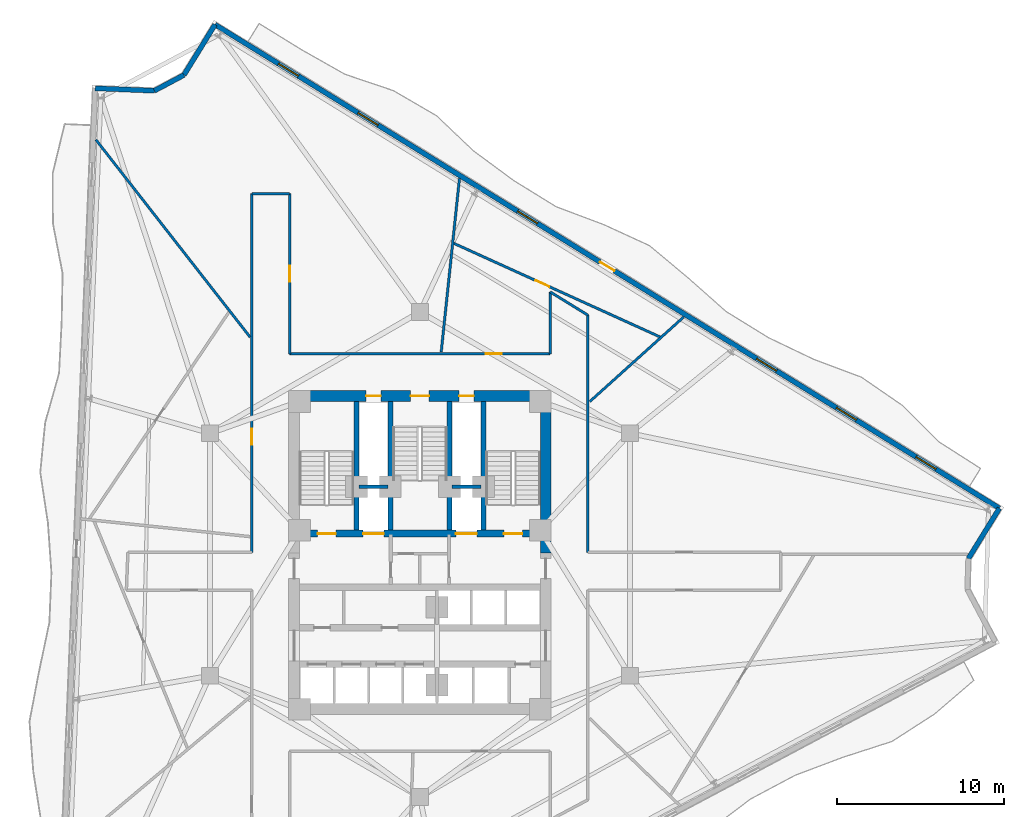
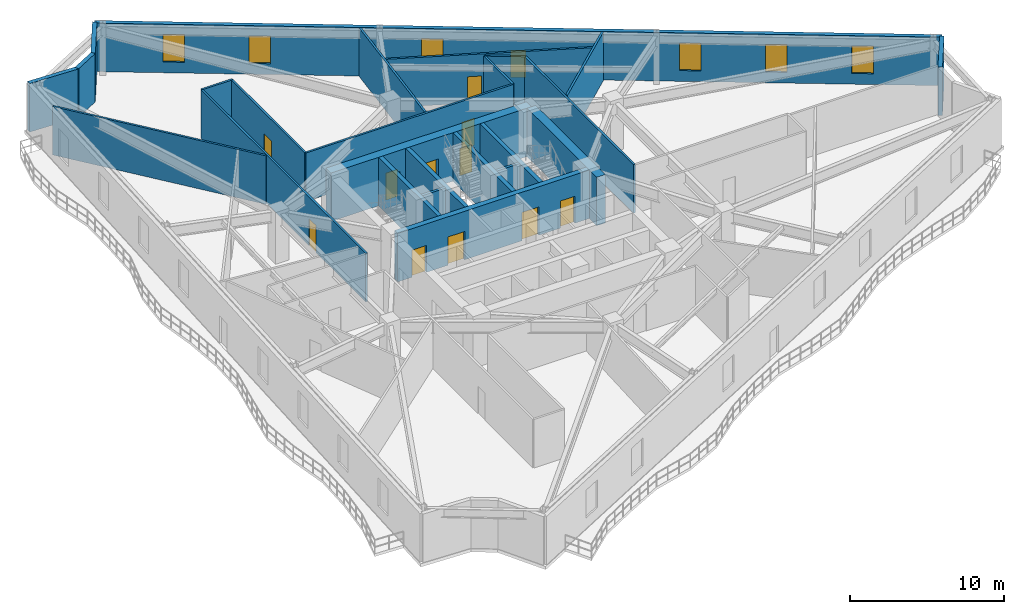
# One storey, part 7 of 12: 25 walls, 12 doors, 6 windows, 18 openings.
"""IFC4 building model written with IfcOpenShell, lengths in metres."""

from ifc_helpers import new_model, si_unit, direction, frame, frame_2d, origin, place, context, subcontext, project, spatial, rectangle, extrude, material, layer, layer_set, type_object, element, fill, save


model = new_model("IFC4")

# Units and contexts
model_context = context("Model", 3, precision=1e-05, world=origin(), true_north=direction((0.0, 1.0)))
body_context = subcontext(model_context, "Body", "Model", "MODEL_VIEW")
ifc_project = project(units=[si_unit("LENGTHUNIT", "METRE"), si_unit("AREAUNIT", "SQUARE_METRE"), si_unit("VOLUMEUNIT", "CUBIC_METRE"), si_unit("PLANEANGLEUNIT", "RADIAN"), si_unit("MASSUNIT", "GRAM", prefix="KILO")], contexts=[model_context])

# Site, building, storey
site_placement = place(None, origin())
site = spatial("IfcSite", under=ifc_project, at=site_placement, CompositionType="ELEMENT")
building_placement = place(site_placement, origin())
building = spatial("IfcBuilding", under=site, at=building_placement, Name="Apsidion Concourse Tower", CompositionType="ELEMENT")
storey_placement = place(building_placement, frame((0.0, 0.0, 173.699951171875)))
storey = spatial("IfcBuildingStorey", under=building, at=storey_placement, Name="L40", CompositionType="ELEMENT", Elevation=173.699951171875)

# Wall, openings, door, windows
ifc_material_1 = material(Name="Precast concrete C40/50", Category="concrete")
ifc_layer_1 = layer(ifc_material_1, 0.300048828125)
ifc_layer_set_1 = layer_set([ifc_layer_1], Name="Precast concrete C40/50")
wall_type_1 = type_object("IfcWallType", Name="WL-EXT-300", PredefinedType="STANDARD", material=ifc_layer_set_1)
wall_1_placement = place(storey_placement, frame((-12.255126953125, 31.68896484375, 0.0), z_axis=(0.0, 0.0, 1.0), x_axis=(0.851166647402, -0.524895549944, 0.0)))
wall_1 = element("IfcWall", 1, at=wall_1_placement, inside=storey, type_object=wall_type_1, Name="L40 Precast Stone Facade Wall 01", PredefinedType="STANDARD", context=body_context, shape_type="SweptSolid", body=[
    extrude(rectangle(XDim=55.110595703125, YDim=0.300048828125, at=frame_2d((27.55517578125, 0.0))), origin(), (0.0, 0.0, 1.0), 3.85009765625),
])
opening_1_placement = place(wall_1_placement, frame((27.055419921875, 0.0, 0.0)))
opening_1 = element("IfcOpeningElement", 2, at=opening_1_placement, cuts=wall_1, Name="Opening D-T1L", PredefinedType="OPENING", context=body_context, shape_type="SweptSolid", body=[
    extrude(rectangle(XDim=1.0, YDim=2.14990234375, at=frame_2d((0.5, 1.074951171875))), frame((0.0, 0.16015625, 0.0), z_axis=(0.0, -1.0, 0.0), x_axis=(1.0, 0.0, 0.0)), (0.0, 0.0, 1.0), 0.320068359375),
])
opening_2_placement = place(wall_1_placement, frame((4.455322265625, 0.0, 0.85009765625)))
opening_2 = element("IfcOpeningElement", 3, at=opening_2_placement, cuts=wall_1, Name="Opening WN-05", PredefinedType="OPENING", context=body_context, shape_type="SweptSolid", body=[
    extrude(rectangle(XDim=1.39990234375, YDim=2.199951171875, at=frame_2d((0.699951171875, 1.10009765625))), frame((0.0, 0.16015625, 0.0), z_axis=(0.0, -1.0, 0.0), x_axis=(1.0, 0.0, 0.0)), (0.0, 0.0, 1.0), 0.320068359375),
])
opening_3_placement = place(wall_1_placement, frame((10.055419921875, 0.0, 0.85009765625)))
opening_3 = element("IfcOpeningElement", 4, at=opening_3_placement, cuts=wall_1, Name="Opening WN-05", PredefinedType="OPENING", context=body_context, shape_type="SweptSolid", body=[
    extrude(rectangle(XDim=1.39990234375, YDim=2.199951171875, at=frame_2d((0.699951171875, 1.10009765625))), frame((0.0, 0.16015625, 0.0), z_axis=(0.0, -1.0, 0.0), x_axis=(1.0, 0.0, 0.0)), (0.0, 0.0, 1.0), 0.320068359375),
])
opening_4_placement = place(wall_1_placement, frame((21.25537109375, 0.0, 0.85009765625)))
opening_4 = element("IfcOpeningElement", 5, at=opening_4_placement, cuts=wall_1, Name="Opening WN-05", PredefinedType="OPENING", context=body_context, shape_type="SweptSolid", body=[
    extrude(rectangle(XDim=1.39990234375, YDim=2.199951171875, at=frame_2d((0.699951171875, 1.10009765625))), frame((0.0, 0.16015625, 0.0), z_axis=(0.0, -1.0, 0.0), x_axis=(1.0, 0.0, 0.0)), (0.0, 0.0, 1.0), 0.320068359375),
])
opening_5_placement = place(wall_1_placement, frame((38.055419921875, 0.0, 0.85009765625)))
opening_5 = element("IfcOpeningElement", 6, at=opening_5_placement, cuts=wall_1, Name="Opening WN-05", PredefinedType="OPENING", context=body_context, shape_type="SweptSolid", body=[
    extrude(rectangle(XDim=1.39990234375, YDim=2.199951171875, at=frame_2d((0.699951171875, 1.10009765625))), frame((0.0, 0.16015625, 0.0), z_axis=(0.0, -1.0, 0.0), x_axis=(1.0, 0.0, 0.0)), (0.0, 0.0, 1.0), 0.320068359375),
])
opening_6_placement = place(wall_1_placement, frame((43.6552734375, 0.0, 0.85009765625)))
opening_6 = element("IfcOpeningElement", 7, at=opening_6_placement, cuts=wall_1, Name="Opening WN-05", PredefinedType="OPENING", context=body_context, shape_type="SweptSolid", body=[
    extrude(rectangle(XDim=1.39990234375, YDim=2.199951171875, at=frame_2d((0.699951171875, 1.10009765625))), frame((0.0, 0.16015625, 0.0), z_axis=(0.0, -1.0, 0.0), x_axis=(1.0, 0.0, 0.0)), (0.0, 0.0, 1.0), 0.320068359375),
])
opening_7_placement = place(wall_1_placement, frame((49.25537109375, 0.0, 0.85009765625)))
opening_7 = element("IfcOpeningElement", 8, at=opening_7_placement, cuts=wall_1, Name="Opening WN-05", PredefinedType="OPENING", context=body_context, shape_type="SweptSolid", body=[
    extrude(rectangle(XDim=1.39990234375, YDim=2.199951171875, at=frame_2d((0.699951171875, 1.10009765625))), frame((0.0, 0.16015625, 0.0), z_axis=(0.0, -1.0, 0.0), x_axis=(1.0, 0.0, 0.0)), (0.0, 0.0, 1.0), 0.320068359375),
])
ifc_material_2 = material(Name="Anodised aluminium EN AW-6063 T6", Category="aluminium")
door_type_1 = type_object("IfcDoorType", Name="DR-TER-1022L", OperationType="SINGLE_SWING_LEFT", PredefinedType="DOOR", material=ifc_material_2)
door_1_placement = place(opening_1_placement, origin())
door_1 = element("IfcDoor", 9, at=door_1_placement, inside=storey, type_object=door_type_1, Name="L40 Balcony Access Door 3", OperationType="SINGLE_SWING_LEFT", OverallHeight=2.14990234375, OverallWidth=1.0, PredefinedType="DOOR", context=body_context, shape_type="SweptSolid", body=[
    extrude(rectangle(XDim=1.0, YDim=2.14990234375, at=frame_2d((0.5, 1.074951171875))), frame((0.0, 0.02490234375, 0.0), z_axis=(0.0, -1.0, 0.0), x_axis=(1.0, 0.0, 0.0)), (0.0, 0.0, 1.0), 0.050048828125),
])
fill(opening_1, door_1)
ifc_material_3 = material(Name="Insulated laminated low-E glass", Category="glass")
window_type = type_object("IfcWindowType", Name="WN-OFF-1424", PartitioningType="SINGLE_PANEL", PredefinedType="WINDOW", material=ifc_material_3)
window_1_placement = place(opening_2_placement, origin())
window_1 = element("IfcWindow", 10, at=window_1_placement, inside=storey, type_object=window_type, Name="L40 Punched Facade Window 1-01", OverallHeight=2.199951171875, OverallWidth=1.39990234375, PartitioningType="SINGLE_PANEL", PredefinedType="WINDOW", context=body_context, shape_type="SweptSolid", body=[
    extrude(rectangle(XDim=1.39990234375, YDim=2.199951171875, at=frame_2d((0.699951171875, 1.10009765625))), frame((0.0, 0.030029296875, 0.0), z_axis=(0.0, -1.0, 0.0), x_axis=(1.0, 0.0, 0.0)), (0.0, 0.0, 1.0), 0.06005859375),
])
fill(opening_2, window_1)
window_2_placement = place(opening_3_placement, origin())
window_2 = element("IfcWindow", 11, at=window_2_placement, inside=storey, type_object=window_type, Name="L40 Punched Facade Window 1-02", OverallHeight=2.199951171875, OverallWidth=1.39990234375, PartitioningType="SINGLE_PANEL", PredefinedType="WINDOW", context=body_context, shape_type="SweptSolid", body=[
    extrude(rectangle(XDim=1.39990234375, YDim=2.199951171875, at=frame_2d((0.699951171875, 1.10009765625))), frame((0.0, 0.030029296875, 0.0), z_axis=(0.0, -1.0, 0.0), x_axis=(1.0, 0.0, 0.0)), (0.0, 0.0, 1.0), 0.06005859375),
])
fill(opening_3, window_2)
window_3_placement = place(opening_4_placement, origin())
window_3 = element("IfcWindow", 12, at=window_3_placement, inside=storey, type_object=window_type, Name="L40 Punched Facade Window 1-04", OverallHeight=2.199951171875, OverallWidth=1.39990234375, PartitioningType="SINGLE_PANEL", PredefinedType="WINDOW", context=body_context, shape_type="SweptSolid", body=[
    extrude(rectangle(XDim=1.39990234375, YDim=2.199951171875, at=frame_2d((0.699951171875, 1.10009765625))), frame((0.0, 0.030029296875, 0.0), z_axis=(0.0, -1.0, 0.0), x_axis=(1.0, 0.0, 0.0)), (0.0, 0.0, 1.0), 0.06005859375),
])
fill(opening_4, window_3)
window_4_placement = place(opening_5_placement, origin())
window_4 = element("IfcWindow", 13, at=window_4_placement, inside=storey, type_object=window_type, Name="L40 Punched Facade Window 1-07", OverallHeight=2.199951171875, OverallWidth=1.39990234375, PartitioningType="SINGLE_PANEL", PredefinedType="WINDOW", context=body_context, shape_type="SweptSolid", body=[
    extrude(rectangle(XDim=1.39990234375, YDim=2.199951171875, at=frame_2d((0.699951171875, 1.10009765625))), frame((0.0, 0.030029296875, 0.0), z_axis=(0.0, -1.0, 0.0), x_axis=(1.0, 0.0, 0.0)), (0.0, 0.0, 1.0), 0.06005859375),
])
fill(opening_5, window_4)
window_5_placement = place(opening_6_placement, origin())
window_5 = element("IfcWindow", 14, at=window_5_placement, inside=storey, type_object=window_type, Name="L40 Punched Facade Window 1-08", OverallHeight=2.199951171875, OverallWidth=1.39990234375, PartitioningType="SINGLE_PANEL", PredefinedType="WINDOW", context=body_context, shape_type="SweptSolid", body=[
    extrude(rectangle(XDim=1.39990234375, YDim=2.199951171875, at=frame_2d((0.699951171875, 1.10009765625))), frame((0.0, 0.030029296875, 0.0), z_axis=(0.0, -1.0, 0.0), x_axis=(1.0, 0.0, 0.0)), (0.0, 0.0, 1.0), 0.06005859375),
])
fill(opening_6, window_5)
window_6_placement = place(opening_7_placement, origin())
window_6 = element("IfcWindow", 15, at=window_6_placement, inside=storey, type_object=window_type, Name="L40 Punched Facade Window 1-09", OverallHeight=2.199951171875, OverallWidth=1.39990234375, PartitioningType="SINGLE_PANEL", PredefinedType="WINDOW", context=body_context, shape_type="SweptSolid", body=[
    extrude(rectangle(XDim=1.39990234375, YDim=2.199951171875, at=frame_2d((0.699951171875, 1.10009765625))), frame((0.0, 0.030029296875, 0.0), z_axis=(0.0, -1.0, 0.0), x_axis=(1.0, 0.0, 0.0)), (0.0, 0.0, 1.0), 0.06005859375),
])
fill(opening_7, window_6)

# Walls
wall_2_placement = place(storey_placement, frame((34.653076171875, 2.76171875, 0.0), z_axis=(0.0, 0.0, 1.0), x_axis=(-0.524920336071, -0.85115136185, 0.0)))
element("IfcWall", 16, at=wall_2_placement, inside=storey, type_object=wall_type_1, Name="L40 Precast Stone Facade Wall 02", PredefinedType="STANDARD", context=body_context, shape_type="SweptSolid", body=[
    extrude(rectangle(XDim=3.541259765625, YDim=0.300048828125, at=frame_2d((1.7705078125, 0.0))), origin(), (0.0, 0.0, 1.0), 3.85009765625),
])
wall_3_placement = place(storey_placement, frame((-19.418212890625, 27.880126953125, 0.0), z_axis=(0.0, 0.0, 1.0), x_axis=(0.999167250485, -0.040802028853, 0.0)))
element("IfcWall", 17, at=wall_3_placement, inside=storey, type_object=wall_type_1, Name="L40 Precast Stone Facade Wall 10", PredefinedType="STANDARD", context=body_context, shape_type="SweptSolid", body=[
    extrude(rectangle(XDim=3.542236328125, YDim=0.300048828125, at=frame_2d((1.77099609375, 0.0))), origin(), (0.0, 0.0, 1.0), 3.85009765625),
])
wall_4_placement = place(storey_placement, frame((-15.87890625, 27.735595703125, 0.0), z_axis=(0.0, 0.0, 1.0), x_axis=(0.882930579665, 0.469503558552, 0.0)))
element("IfcWall", 18, at=wall_4_placement, inside=storey, type_object=wall_type_1, Name="L40 Precast Stone Facade Wall 11", PredefinedType="STANDARD", context=body_context, shape_type="SweptSolid", body=[
    extrude(rectangle(XDim=1.998291015625, YDim=0.300048828125, at=frame_2d((0.9990234375, 0.0))), origin(), (0.0, 0.0, 1.0), 3.85009765625),
])
wall_5_placement = place(storey_placement, frame((-14.114501953125, 28.673828125, 0.0), z_axis=(0.0, 0.0, 1.0), x_axis=(0.524897025004, 0.851165737763, 0.0)))
element("IfcWall", 19, at=wall_5_placement, inside=storey, type_object=wall_type_1, Name="L40 Precast Stone Facade Wall 12", PredefinedType="STANDARD", context=body_context, shape_type="SweptSolid", body=[
    extrude(rectangle(XDim=3.54248046875, YDim=0.300048828125, at=frame_2d((1.771240234375, 0.0))), origin(), (0.0, 0.0, 1.0), 3.85009765625),
])

# Wall, opening, door
ifc_material_4 = material(Name="Gypsum plasterboard partition")
ifc_layer_2 = layer(ifc_material_4, 0.14990234375)
ifc_layer_set_2 = layer_set([ifc_layer_2], Name="Gypsum plasterboard partition")
wall_type_2 = type_object("IfcWallType", Name="WL-INT-PAR-150", PredefinedType="PARTITIONING", material=ifc_layer_set_2)
wall_6_placement = place(storey_placement, frame((-10.050048828125, 0.1298828125, 0.0), z_axis=(0.0, 0.0, 1.0), x_axis=(0.0, 1.0, 0.0)))
wall_6 = element("IfcWall", 20, at=wall_6_placement, inside=storey, type_object=wall_type_2, Name="L40 Interior Partition WL-L40-CORR-10", PredefinedType="PARTITIONING", context=body_context, shape_type="SweptSolid", body=[
    extrude(rectangle(XDim=21.4501953125, YDim=0.14990234375, at=frame_2d((10.72509765625, 0.0))), origin(), (0.0, 0.0, 1.0), 3.85009765625),
])
opening_8_placement = place(wall_6_placement, frame((6.447021484375, 0.0, 0.0)))
opening_8 = element("IfcOpeningElement", 21, at=opening_8_placement, cuts=wall_6, Name="Opening D-01R", PredefinedType="OPENING", context=body_context, shape_type="SweptSolid", body=[
    extrude(rectangle(XDim=0.949951171875, YDim=2.14990234375, at=frame_2d((0.47509765625, 1.074951171875))), frame((0.0, 0.0849609375, 0.0), z_axis=(0.0, -1.0, 0.0), x_axis=(1.0, 0.0, 0.0)), (0.0, 0.0, 1.0), 0.169921875),
])
ifc_material_5 = material(Name="Brushed stainless steel 316", Category="steel")
door_type_2 = type_object("IfcDoorType", Name="DR-INT-D01R", OperationType="SINGLE_SWING_RIGHT", PredefinedType="DOOR", material=ifc_material_5)
door_2_placement = place(opening_8_placement, origin())
door_2 = element("IfcDoor", 22, at=door_2_placement, inside=storey, type_object=door_type_2, Name="L40 Corridor Entry Door 08", OperationType="SINGLE_SWING_RIGHT", OverallHeight=2.14990234375, OverallWidth=0.949951171875, PredefinedType="DOOR", context=body_context, shape_type="SweptSolid", body=[
    extrude(rectangle(XDim=0.949951171875, YDim=2.14990234375, at=frame_2d((0.47509765625, 1.074951171875))), frame((0.0, 0.02490234375, 0.0), z_axis=(0.0, -1.0, 0.0), x_axis=(1.0, 0.0, 0.0)), (0.0, 0.0, 1.0), 0.050048828125),
])
fill(opening_8, door_2)

# Wall
wall_7_placement = place(storey_placement, frame((-10.050048828125, 21.580078125, 0.0), z_axis=(0.0, 0.0, 1.0), x_axis=(1.0, 0.0, 0.0)))
element("IfcWall", 23, at=wall_7_placement, inside=storey, type_object=wall_type_2, Name="L40 Interior Partition WL-L40-CORR-11", PredefinedType="PARTITIONING", context=body_context, shape_type="SweptSolid", body=[
    extrude(rectangle(XDim=2.260009765625, YDim=0.14990234375, at=frame_2d((1.1298828125, 0.0))), origin(), (0.0, 0.0, 1.0), 3.85009765625),
])

# Wall, opening, door
wall_8_placement = place(storey_placement, frame((-7.7900390625, 21.580078125, 0.0), z_axis=(0.0, 0.0, 1.0), x_axis=(0.0, -1.0, 0.0)))
wall_8 = element("IfcWall", 24, at=wall_8_placement, inside=storey, type_object=wall_type_2, Name="L40 Interior Partition WL-L40-CORR-12", PredefinedType="PARTITIONING", context=body_context, shape_type="SweptSolid", body=[
    extrude(rectangle(XDim=9.580078125, YDim=0.14990234375, at=frame_2d((4.7900390625, 0.0))), origin(), (0.0, 0.0, 1.0), 3.85009765625),
])
opening_9_placement = place(wall_8_placement, frame((4.31494140625, 0.0, 0.0)))
opening_9 = element("IfcOpeningElement", 25, at=opening_9_placement, cuts=wall_8, Name="Opening D-01L", PredefinedType="OPENING", context=body_context, shape_type="SweptSolid", body=[
    extrude(rectangle(XDim=0.949951171875, YDim=2.14990234375, at=frame_2d((0.47509765625, 1.074951171875))), frame((0.0, 0.0849609375, 0.0), z_axis=(0.0, -1.0, 0.0), x_axis=(1.0, 0.0, 0.0)), (0.0, 0.0, 1.0), 0.169921875),
])
door_type_3 = type_object("IfcDoorType", Name="DR-INT-D01L", OperationType="SINGLE_SWING_LEFT", PredefinedType="DOOR", material=ifc_material_5)
door_3_placement = place(opening_9_placement, origin())
door_3 = element("IfcDoor", 26, at=door_3_placement, inside=storey, type_object=door_type_3, Name="L40 Corridor Entry Door 07", OperationType="SINGLE_SWING_LEFT", OverallHeight=2.14990234375, OverallWidth=0.949951171875, PredefinedType="DOOR", context=body_context, shape_type="SweptSolid", body=[
    extrude(rectangle(XDim=0.949951171875, YDim=2.14990234375, at=frame_2d((0.47509765625, 1.074951171875))), frame((0.0, 0.02490234375, 0.0), z_axis=(0.0, -1.0, 0.0), x_axis=(1.0, 0.0, 0.0)), (0.0, 0.0, 1.0), 0.050048828125),
])
fill(opening_9, door_3)

wall_9_placement = place(storey_placement, frame((-7.7900390625, 12.0, 0.0), z_axis=(0.0, 0.0, 1.0), x_axis=(1.0, 0.0, 0.0)))
wall_9 = element("IfcWall", 27, at=wall_9_placement, inside=storey, type_object=wall_type_2, Name="L40 Interior Partition WL-L40-CORR-13", PredefinedType="PARTITIONING", context=body_context, shape_type="SweptSolid", body=[
    extrude(rectangle(XDim=15.580078125, YDim=0.14990234375, at=frame_2d((7.7900390625, 0.0))), origin(), (0.0, 0.0, 1.0), 3.85009765625),
])
opening_10_placement = place(wall_9_placement, frame((11.718017578125, 0.0, 0.0)))
opening_10 = element("IfcOpeningElement", 28, at=opening_10_placement, cuts=wall_9, Name="Opening D-01R", PredefinedType="OPENING", context=body_context, shape_type="SweptSolid", body=[
    extrude(rectangle(XDim=0.949951171875, YDim=2.14990234375, at=frame_2d((0.47509765625, 1.074951171875))), frame((0.0, 0.0849609375, 0.0), z_axis=(0.0, -1.0, 0.0), x_axis=(1.0, 0.0, 0.0)), (0.0, 0.0, 1.0), 0.169921875),
])
door_4_placement = place(opening_10_placement, origin())
door_4 = element("IfcDoor", 29, at=door_4_placement, inside=storey, type_object=door_type_2, Name="L40 Corridor Entry Door 06", OperationType="SINGLE_SWING_RIGHT", OverallHeight=2.14990234375, OverallWidth=0.949951171875, PredefinedType="DOOR", context=body_context, shape_type="SweptSolid", body=[
    extrude(rectangle(XDim=0.949951171875, YDim=2.14990234375, at=frame_2d((0.47509765625, 1.074951171875))), frame((0.0, 0.02490234375, 0.0), z_axis=(0.0, -1.0, 0.0), x_axis=(1.0, 0.0, 0.0)), (0.0, 0.0, 1.0), 0.050048828125),
])
fill(opening_10, door_4)

# Walls
wall_10_placement = place(storey_placement, frame((7.7900390625, 12.0, 0.0), z_axis=(0.0, 0.0, 1.0), x_axis=(0.0, 1.0, 0.0)))
element("IfcWall", 30, at=wall_10_placement, inside=storey, type_object=wall_type_2, Name="L40 Interior Partition WL-L40-CORR-14", PredefinedType="PARTITIONING", context=body_context, shape_type="SweptSolid", body=[
    extrude(rectangle(XDim=3.703125, YDim=0.14990234375, at=frame_2d((1.8515625, 0.0))), origin(), (0.0, 0.0, 1.0), 3.85009765625),
])
wall_11_placement = place(storey_placement, frame((7.7900390625, 15.703125, 0.0), z_axis=(0.0, 0.0, 1.0), x_axis=(0.851190724913, -0.52485650403, 0.0)))
element("IfcWall", 31, at=wall_11_placement, inside=storey, type_object=wall_type_2, Name="L40 Interior Partition WL-L40-CORR-15", PredefinedType="PARTITIONING", context=body_context, shape_type="SweptSolid", body=[
    extrude(rectangle(XDim=2.655029296875, YDim=0.14990234375, at=frame_2d((1.32763671875, 0.0))), origin(), (0.0, 0.0, 1.0), 3.85009765625),
])
wall_12_placement = place(storey_placement, frame((10.050048828125, 14.3095703125, 0.0), z_axis=(0.0, 0.0, 1.0), x_axis=(0.0, -1.0, 0.0)))
element("IfcWall", 32, at=wall_12_placement, inside=storey, type_object=wall_type_2, Name="L40 Interior Partition WL-L40-CORR-16", PredefinedType="PARTITIONING", context=body_context, shape_type="SweptSolid", body=[
    extrude(rectangle(XDim=14.1796875, YDim=0.14990234375, at=frame_2d((7.08984375, 0.0))), origin(), (0.0, 0.0, 1.0), 3.85009765625),
])
wall_13_placement = place(storey_placement, frame((10.155029296875, 9.1435546875, 0.0), z_axis=(0.0, 0.0, 1.0), x_axis=(0.743141731871, 0.669134042141, 0.0)))
element("IfcWall", 33, at=wall_13_placement, inside=storey, type_object=wall_type_2, Name="L40 Interior Partition WL-L40-RAD-02-1", PredefinedType="PARTITIONING", context=body_context, shape_type="SweptSolid", body=[
    extrude(rectangle(XDim=7.567626953125, YDim=0.14990234375, at=frame_2d((3.78369140625, 0.0))), origin(), (0.0, 0.0, 1.0), 3.85009765625),
])
wall_14_placement = place(storey_placement, frame((1.272216796875, 12.10498046875, 0.0), z_axis=(0.0, 0.0, 1.0), x_axis=(0.104532516147, 0.994521469385, 0.0)))
element("IfcWall", 34, at=wall_14_placement, inside=storey, type_object=wall_type_2, Name="L40 Interior Partition WL-L40-RAD-03-1", PredefinedType="PARTITIONING", context=body_context, shape_type="SweptSolid", body=[
    extrude(rectangle(XDim=10.432861328125, YDim=0.14990234375, at=frame_2d((5.21630859375, 0.0))), origin(), (0.0, 0.0, 1.0), 3.85009765625),
])
wall_15_placement = place(storey_placement, frame((-10.155029296875, 12.997802734375, 0.0), z_axis=(0.0, 0.0, 1.0), x_axis=(-0.615665229035, 0.788007820874, 0.0)))
element("IfcWall", 35, at=wall_15_placement, inside=storey, type_object=wall_type_2, Name="L40 Interior Partition WL-L40-RAD-04-1", PredefinedType="PARTITIONING", context=body_context, shape_type="SweptSolid", body=[
    extrude(rectangle(XDim=14.98193359375, YDim=0.14990234375, at=frame_2d((7.490966796875, 0.0))), origin(), (0.0, 0.0, 1.0), 3.85009765625),
])

# Wall, opening, door
wall_16_placement = place(storey_placement, frame((14.39404296875, 12.994140625, 0.0), z_axis=(0.0, 0.0, 1.0), x_axis=(-0.910597602267, 0.413294092319, 0.0)))
wall_16 = element("IfcWall", 36, at=wall_16_placement, inside=storey, type_object=wall_type_2, Name="L40 Interior Partition WL-L40-CHD-OFS05", PredefinedType="PARTITIONING", context=body_context, shape_type="SweptSolid", body=[
    extrude(rectangle(XDim=13.629638671875, YDim=0.14990234375, at=frame_2d((6.81494140625, 0.0))), origin(), (0.0, 0.0, 1.0), 3.85009765625),
])
opening_11_placement = place(wall_16_placement, frame((7.31494140625, 0.0, 0.0)))
opening_11 = element("IfcOpeningElement", 37, at=opening_11_placement, cuts=wall_16, Name="Opening D-02R", PredefinedType="OPENING", context=body_context, shape_type="SweptSolid", body=[
    extrude(rectangle(XDim=0.89990234375, YDim=2.10009765625, at=frame_2d((0.449951171875, 1.050048828125))), frame((0.0, 0.0849609375, 0.0), z_axis=(0.0, -1.0, 0.0), x_axis=(1.0, 0.0, 0.0)), (0.0, 0.0, 1.0), 0.169921875),
])
door_type_4 = type_object("IfcDoorType", Name="DR-INT-D02R", OperationType="SINGLE_SWING_RIGHT", PredefinedType="DOOR", material=ifc_material_2)
door_5_placement = place(opening_11_placement, origin())
door_5 = element("IfcDoor", 38, at=door_5_placement, inside=storey, type_object=door_type_4, Name="L40 Suite Connecting Door OFS05", OperationType="SINGLE_SWING_RIGHT", OverallHeight=2.10009765625, OverallWidth=0.89990234375, PredefinedType="DOOR", context=body_context, shape_type="SweptSolid", body=[
    extrude(rectangle(XDim=0.89990234375, YDim=2.10009765625, at=frame_2d((0.449951171875, 1.050048828125))), frame((0.0, 0.02490234375, 0.0), z_axis=(0.0, -1.0, 0.0), x_axis=(1.0, 0.0, 0.0)), (0.0, 0.0, 1.0), 0.050048828125),
])
fill(opening_11, door_5)

# Walls
ifc_layer_3 = layer(ifc_material_4, 0.199951171875)
ifc_layer_set_3 = layer_set([ifc_layer_3], Name="Gypsum plasterboard partition")
wall_type_3 = type_object("IfcWallType", Name="WL-INT-PAR-200", PredefinedType="PARTITIONING", material=ifc_layer_set_3)
for number, where, z_axis, x_axis, name in (
    (39, (-3.64990234375, 4.050048828125, 0.0), (0.0, 0.0, 1.0), (1.0, 0.0, 0.0), "L40 Interior Partition WL-L40-FF1-N"),
    (40, (1.919921875, 4.050048828125, 0.0), (0.0, 0.0, 1.0), (1.0, 0.0, 0.0), "L40 Interior Partition WL-L40-FF2-N"),
):
    element("IfcWall", number, at=place(storey_placement, frame(where, z_axis=z_axis, x_axis=x_axis)), inside=storey, type_object=wall_type_3, Name=name, PredefinedType="PARTITIONING", context=body_context, shape_type="SweptSolid", body=[
        extrude(rectangle(XDim=1.72998046875, YDim=0.199951171875, at=frame_2d((0.864990234375, 0.0))), origin(), (0.0, 0.0, 1.0), 3.85009765625),
    ])
ifc_material_6 = material(Name="Concrete C50/60", Category="concrete")
ifc_layer_4 = layer(ifc_material_6, 0.300048828125)
ifc_layer_set_4 = layer_set([ifc_layer_4], Name="Concrete C50/60")
wall_type_4 = type_object("IfcWallType", Name="WL-SH-300", PredefinedType="SHEAR", material=ifc_layer_set_4)
for number, where, z_axis, x_axis, name in (
    (41, (-3.800048828125, 1.449951171875, 0.0), (0.0, 0.0, 1.0), (0.0, 1.0, 0.0), "L40 Central Core Shear Wall V1"),
    (42, (-1.77490234375, 1.449951171875, 0.0), (0.0, 0.0, 1.0), (0.0, 1.0, 0.0), "L40 Central Core Shear Wall V2"),
    (43, (1.77490234375, 1.449951171875, 0.0), (0.0, 0.0, 1.0), (0.0, 1.0, 0.0), "L40 Central Core Shear Wall V3"),
    (44, (3.800048828125, 1.449951171875, 0.0), (0.0, 0.0, 1.0), (0.0, 1.0, 0.0), "L40 Central Core Shear Wall V4"),
):
    element("IfcWall", number, at=place(storey_placement, frame(where, z_axis=z_axis, x_axis=x_axis)), inside=storey, type_object=wall_type_4, Name=name, PredefinedType="SHEAR", context=body_context, shape_type="SweptSolid", body=[
        extrude(rectangle(XDim=7.699951171875, YDim=0.300048828125, at=frame_2d((3.85009765625, 0.0))), origin(), (0.0, 0.0, 1.0), 3.85009765625),
    ])

# Wall, openings, doors
ifc_layer_5 = layer(ifc_material_6, 0.39990234375)
ifc_layer_set_5 = layer_set([ifc_layer_5], Name="Concrete C50/60")
wall_type_5 = type_object("IfcWallType", Name="WL-SH-400", PredefinedType="SHEAR", material=ifc_layer_set_5)
wall_17_placement = place(storey_placement, frame((-7.199951171875, 1.25, 0.0), z_axis=(0.0, 0.0, 1.0), x_axis=(1.0, 0.0, 0.0)))
wall_17 = element("IfcWall", 45, at=wall_17_placement, inside=storey, type_object=wall_type_5, Name="L40 Central Core Shear Wall M1", PredefinedType="SHEAR", context=body_context, shape_type="SweptSolid", body=[
    extrude(rectangle(XDim=14.39990234375, YDim=0.39990234375, at=frame_2d((7.199951171875, 0.0))), origin(), (0.0, 0.0, 1.0), 3.85009765625),
])
opening_12_placement = place(wall_17_placement, frame((3.794921875, 0.0, 0.0)))
opening_12 = element("IfcOpeningElement", 46, at=opening_12_placement, cuts=wall_17, Name="Opening LD-FF", PredefinedType="OPENING", context=body_context, shape_type="SweptSolid", body=[
    extrude(rectangle(XDim=1.25, YDim=2.25, at=frame_2d((0.625, 1.125))), frame((0.0, 0.2099609375, 0.0), z_axis=(0.0, -1.0, 0.0), x_axis=(1.0, 0.0, 0.0)), (0.0, 0.0, 1.0), 0.419921875),
])
opening_13_placement = place(wall_17_placement, frame((9.35498046875, 0.0, 0.0)))
opening_13 = element("IfcOpeningElement", 47, at=opening_13_placement, cuts=wall_17, Name="Opening LD-FF", PredefinedType="OPENING", context=body_context, shape_type="SweptSolid", body=[
    extrude(rectangle(XDim=1.25, YDim=2.25, at=frame_2d((0.625, 1.125))), frame((0.0, 0.2099609375, 0.0), z_axis=(0.0, -1.0, 0.0), x_axis=(1.0, 0.0, 0.0)), (0.0, 0.0, 1.0), 0.419921875),
])
opening_14_placement = place(wall_17_placement, frame((1.074951171875, 0.0, 0.0)))
opening_14 = element("IfcOpeningElement", 48, at=opening_14_placement, cuts=wall_17, Name="Opening D-STL", PredefinedType="OPENING", context=body_context, shape_type="SweptSolid", body=[
    extrude(rectangle(XDim=1.10009765625, YDim=2.14990234375, at=frame_2d((0.550048828125, 1.074951171875))), frame((0.0, 0.2099609375, 0.0), z_axis=(0.0, -1.0, 0.0), x_axis=(1.0, 0.0, 0.0)), (0.0, 0.0, 1.0), 0.419921875),
])
opening_15_placement = place(wall_17_placement, frame((12.22509765625, 0.0, 0.0)))
opening_15 = element("IfcOpeningElement", 49, at=opening_15_placement, cuts=wall_17, Name="Opening D-STR", PredefinedType="OPENING", context=body_context, shape_type="SweptSolid", body=[
    extrude(rectangle(XDim=1.10009765625, YDim=2.14990234375, at=frame_2d((0.550048828125, 1.074951171875))), frame((0.0, 0.2099609375, 0.0), z_axis=(0.0, -1.0, 0.0), x_axis=(1.0, 0.0, 0.0)), (0.0, 0.0, 1.0), 0.419921875),
])
door_type_5 = type_object("IfcDoorType", Name="DR-INT-ST1L", OperationType="SINGLE_SWING_LEFT", PredefinedType="DOOR", material=ifc_material_5)
door_6_placement = place(opening_14_placement, origin())
door_6 = element("IfcDoor", 50, at=door_6_placement, inside=storey, type_object=door_type_5, Name="L40 Core Exit Stair ST1 Door", OperationType="SINGLE_SWING_LEFT", OverallHeight=2.14990234375, OverallWidth=1.10009765625, PredefinedType="DOOR", context=body_context, shape_type="SweptSolid", body=[
    extrude(rectangle(XDim=1.10009765625, YDim=2.14990234375, at=frame_2d((0.550048828125, 1.074951171875))), frame((0.0, 0.02490234375, 0.0), z_axis=(0.0, -1.0, 0.0), x_axis=(1.0, 0.0, 0.0)), (0.0, 0.0, 1.0), 0.050048828125),
])
fill(opening_14, door_6)
door_type_6 = type_object("IfcDoorType", Name="DR-INT-ST1R", OperationType="SINGLE_SWING_RIGHT", PredefinedType="DOOR", material=ifc_material_5)
door_7_placement = place(opening_15_placement, origin())
door_7 = element("IfcDoor", 51, at=door_7_placement, inside=storey, type_object=door_type_6, Name="L40 Core Exit Stair ST2 Door", OperationType="SINGLE_SWING_RIGHT", OverallHeight=2.14990234375, OverallWidth=1.10009765625, PredefinedType="DOOR", context=body_context, shape_type="SweptSolid", body=[
    extrude(rectangle(XDim=1.10009765625, YDim=2.14990234375, at=frame_2d((0.550048828125, 1.074951171875))), frame((0.0, 0.02490234375, 0.0), z_axis=(0.0, -1.0, 0.0), x_axis=(1.0, 0.0, 0.0)), (0.0, 0.0, 1.0), 0.050048828125),
])
fill(opening_15, door_7)
door_type_7 = type_object("IfcDoorType", Name="DR-LD-FSAE", OperationType="DOUBLE_DOOR_SLIDING", PredefinedType="DOOR", material=ifc_material_5)
door_8_placement = place(opening_12_placement, origin())
door_8 = element("IfcDoor", 52, at=door_8_placement, inside=storey, type_object=door_type_7, Name="L40 Lift Landing Door FF1", OperationType="DOUBLE_DOOR_SLIDING", OverallHeight=2.25, OverallWidth=1.25, PredefinedType="DOOR", context=body_context, shape_type="SweptSolid", body=[
    extrude(rectangle(XDim=1.25, YDim=2.25, at=frame_2d((0.625, 1.125))), frame((0.0, 0.02490234375, 0.0), z_axis=(0.0, -1.0, 0.0), x_axis=(1.0, 0.0, 0.0)), (0.0, 0.0, 1.0), 0.050048828125),
])
fill(opening_12, door_8)
door_9_placement = place(opening_13_placement, origin())
door_9 = element("IfcDoor", 53, at=door_9_placement, inside=storey, type_object=door_type_7, Name="L40 Lift Landing Door FF2", OperationType="DOUBLE_DOOR_SLIDING", OverallHeight=2.25, OverallWidth=1.25, PredefinedType="DOOR", context=body_context, shape_type="SweptSolid", body=[
    extrude(rectangle(XDim=1.25, YDim=2.25, at=frame_2d((0.625, 1.125))), frame((0.0, 0.02490234375, 0.0), z_axis=(0.0, -1.0, 0.0), x_axis=(1.0, 0.0, 0.0)), (0.0, 0.0, 1.0), 0.050048828125),
])
fill(opening_13, door_9)

ifc_layer_6 = layer(ifc_material_6, 0.64990234375)
ifc_layer_set_6 = layer_set([ifc_layer_6], Name="Concrete C50/60")
wall_type_6 = type_object("IfcWallType", Name="WL-SH-650", PredefinedType="SHEAR", material=ifc_layer_set_6)
wall_18_placement = place(storey_placement, frame((-7.52490234375, 9.47509765625, 0.0), z_axis=(0.0, 0.0, 1.0), x_axis=(1.0, 0.0, 0.0)))
wall_18 = element("IfcWall", 54, at=wall_18_placement, inside=storey, type_object=wall_type_6, Name="L40 Central Core Shear Wall N", PredefinedType="SHEAR", context=body_context, shape_type="SweptSolid", body=[
    extrude(rectangle(XDim=15.0498046875, YDim=0.64990234375, at=frame_2d((7.52490234375, 0.0))), origin(), (0.0, 0.0, 1.0), 3.85009765625),
])
opening_16_placement = place(wall_18_placement, frame((6.97509765625, 0.0, 0.0)))
opening_16 = element("IfcOpeningElement", 55, at=opening_16_placement, cuts=wall_18, Name="Opening D-STL", PredefinedType="OPENING", context=body_context, shape_type="SweptSolid", body=[
    extrude(rectangle(XDim=1.10009765625, YDim=2.14990234375, at=frame_2d((0.550048828125, 1.074951171875))), frame((0.0, 0.3349609375, 0.0), z_axis=(0.0, -1.0, 0.0), x_axis=(1.0, 0.0, 0.0)), (0.0, 0.0, 1.0), 0.669921875),
])
opening_17_placement = place(wall_18_placement, frame((4.304931640625, 0.0, 0.0)))
opening_17 = element("IfcOpeningElement", 56, at=opening_17_placement, cuts=wall_18, Name="Opening D-05L", PredefinedType="OPENING", context=body_context, shape_type="SweptSolid", body=[
    extrude(rectangle(XDim=0.8798828125, YDim=2.14990234375, at=frame_2d((0.43994140625, 1.074951171875))), frame((0.0, 0.3349609375, 0.0), z_axis=(0.0, -1.0, 0.0), x_axis=(1.0, 0.0, 0.0)), (0.0, 0.0, 1.0), 0.669921875),
])
opening_18_placement = place(wall_18_placement, frame((9.864990234375, 0.0, 0.0)))
opening_18 = element("IfcOpeningElement", 57, at=opening_18_placement, cuts=wall_18, Name="Opening D-05R", PredefinedType="OPENING", context=body_context, shape_type="SweptSolid", body=[
    extrude(rectangle(XDim=0.8798828125, YDim=2.14990234375, at=frame_2d((0.43994140625, 1.074951171875))), frame((0.0, 0.3349609375, 0.0), z_axis=(0.0, -1.0, 0.0), x_axis=(1.0, 0.0, 0.0)), (0.0, 0.0, 1.0), 0.669921875),
])
door_type_8 = type_object("IfcDoorType", Name="DR-INT-D05L", OperationType="SINGLE_SWING_LEFT", PredefinedType="DOOR", material=ifc_material_5)
door_10_placement = place(opening_17_placement, origin())
door_10 = element("IfcDoor", 58, at=door_10_placement, inside=storey, type_object=door_type_8, Name="L40 Electrical Riser Shaft Access Door", OperationType="SINGLE_SWING_LEFT", OverallHeight=2.14990234375, OverallWidth=0.8798828125, PredefinedType="DOOR", context=body_context, shape_type="SweptSolid", body=[
    extrude(rectangle(XDim=0.8798828125, YDim=2.14990234375, at=frame_2d((0.43994140625, 1.074951171875))), frame((0.0, 0.02490234375, 0.0), z_axis=(0.0, -1.0, 0.0), x_axis=(1.0, 0.0, 0.0)), (0.0, 0.0, 1.0), 0.050048828125),
])
fill(opening_17, door_10)
door_type_9 = type_object("IfcDoorType", Name="DR-INT-D05R", OperationType="SINGLE_SWING_RIGHT", PredefinedType="DOOR", material=ifc_material_5)
door_11_placement = place(opening_18_placement, origin())
door_11 = element("IfcDoor", 59, at=door_11_placement, inside=storey, type_object=door_type_9, Name="L40 Mechanical Riser Shaft Access Door", OperationType="SINGLE_SWING_RIGHT", OverallHeight=2.14990234375, OverallWidth=0.8798828125, PredefinedType="DOOR", context=body_context, shape_type="SweptSolid", body=[
    extrude(rectangle(XDim=0.8798828125, YDim=2.14990234375, at=frame_2d((0.43994140625, 1.074951171875))), frame((0.0, 0.02490234375, 0.0), z_axis=(0.0, -1.0, 0.0), x_axis=(1.0, 0.0, 0.0)), (0.0, 0.0, 1.0), 0.050048828125),
])
fill(opening_18, door_11)
door_12_placement = place(opening_16_placement, origin())
door_12 = element("IfcDoor", 60, at=door_12_placement, inside=storey, type_object=door_type_5, Name="L40 Core Exit Stair ST3 Door", OperationType="SINGLE_SWING_LEFT", OverallHeight=2.14990234375, OverallWidth=1.10009765625, PredefinedType="DOOR", context=body_context, shape_type="SweptSolid", body=[
    extrude(rectangle(XDim=1.10009765625, YDim=2.14990234375, at=frame_2d((0.550048828125, 1.074951171875))), frame((0.0, 0.02490234375, 0.0), z_axis=(0.0, -1.0, 0.0), x_axis=(1.0, 0.0, 0.0)), (0.0, 0.0, 1.0), 0.050048828125),
])
fill(opening_16, door_12)

# Wall
wall_19_placement = place(storey_placement, frame((7.52490234375, 0.10009765625, 0.0), z_axis=(0.0, 0.0, 1.0), x_axis=(0.0, 1.0, 0.0)))
element("IfcWall", 61, at=wall_19_placement, inside=storey, type_object=wall_type_6, Name="L40 Central Core Shear Wall EN", PredefinedType="SHEAR", context=body_context, shape_type="SweptSolid", body=[
    extrude(rectangle(XDim=9.0498046875, YDim=0.64990234375, at=frame_2d((4.52490234375, 0.0))), origin(), (0.0, 0.0, 1.0), 3.85009765625),
])

save(model, "model.ifc")
